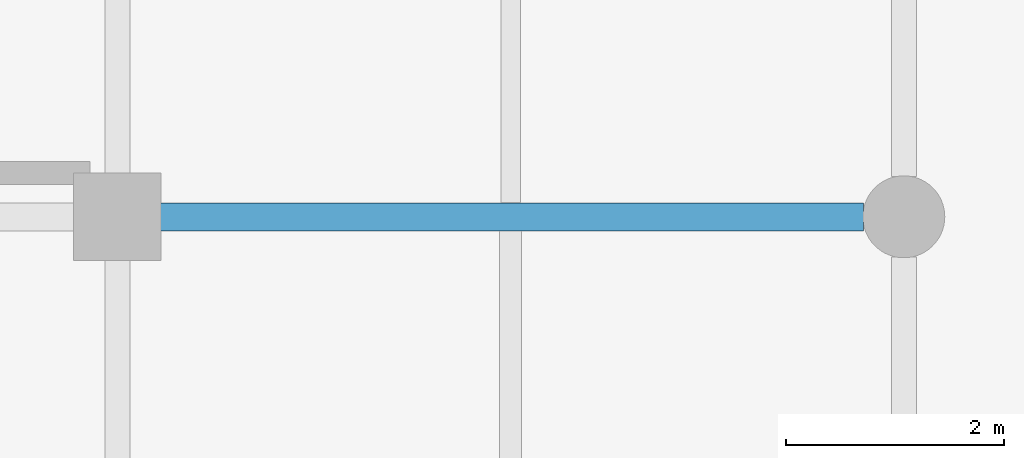
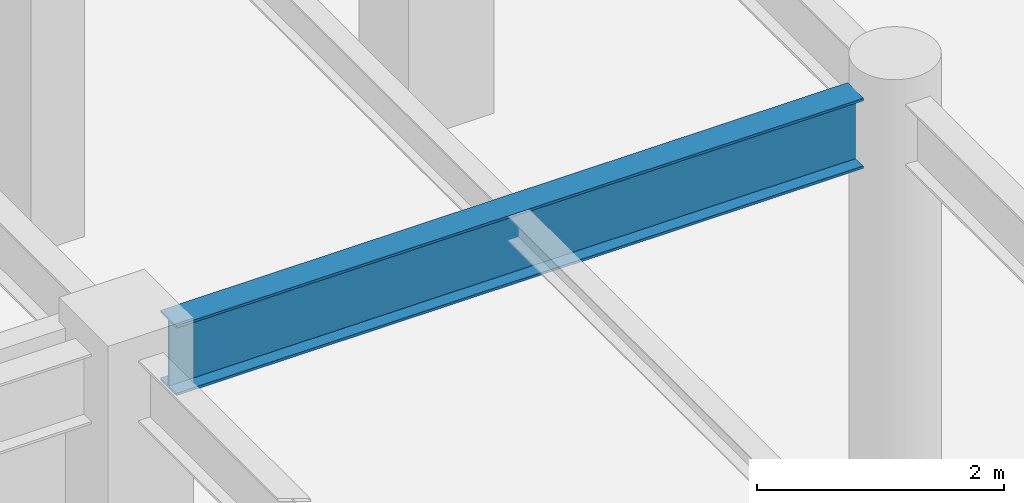
# One storey, part 44 of 128: 1 beam.
"""IFC4 building model written with IfcOpenShell, lengths in metres."""

from ifc_helpers import new_model, si_unit, direction, frame, origin, origin_2d, place, context, subcontext, project, spatial, i_section, extrude, material, material_profile, profile_set, type_object, element, save


model = new_model("IFC4")

# Units and contexts
model_context = context("Model", 3, precision=1e-05, world=origin(), true_north=direction((0.0, 1.0)))
body_context = subcontext(model_context, "Body", "Model", "MODEL_VIEW")
ifc_project = project(units=[si_unit("LENGTHUNIT", "METRE"), si_unit("AREAUNIT", "SQUARE_METRE"), si_unit("VOLUMEUNIT", "CUBIC_METRE"), si_unit("PLANEANGLEUNIT", "RADIAN"), si_unit("MASSUNIT", "GRAM", prefix="KILO")], contexts=[model_context])

# Site, building, storey
site_placement = place(None, origin())
site = spatial("IfcSite", under=ifc_project, at=site_placement, CompositionType="ELEMENT")
building_placement = place(site_placement, origin())
building = spatial("IfcBuilding", under=site, at=building_placement, Name="Xicomal Pleat Aquarium", CompositionType="ELEMENT")
storey_placement = place(building_placement, frame((0.0, 0.0, 5.39990234375)))
storey = spatial("IfcBuildingStorey", under=building, at=storey_placement, Name="L02", CompositionType="ELEMENT", Elevation=5.39990234375)

# Beam
ifc_material = material(Name="Structural steel A992 Gr 50", Category="steel")
ifc_material_profile = material_profile(ifc_material, i_section(OverallWidth=0.256103515625, OverallDepth=0.693115234375, WebThickness=0.014404296875, FlangeThickness=0.023681640625, at=origin_2d()), Name="IR 690x170")
ifc_profile_set = profile_set([ifc_material_profile], Name="Structural steel A992 Gr 50")
beam_type = type_object("IfcBeamType", Name="BM-STL-IR690", PredefinedType="BEAM", material=ifc_profile_set)
beam_placement = place(storey_placement, frame((111.39501953125, 45.60009765625, 4.513671875), z_axis=(1.0, 0.0, 0.0), x_axis=(0.0, 1.0, 0.0)))
element("IfcBeam", 1, at=beam_placement, inside=storey, type_object=beam_type, Name="L02 framing beam FGX-L02-14-15-G", PredefinedType="BEAM", context=body_context, shape_type="SweptSolid", body=[
    extrude(i_section(OverallWidth=0.256103515625, OverallDepth=0.693115234375, WebThickness=0.014404296875, FlangeThickness=0.023681640625, at=origin_2d()), origin(), (0.0, 0.0, 1.0), 6.43505859375),
])

save(model, "model.ifc")
